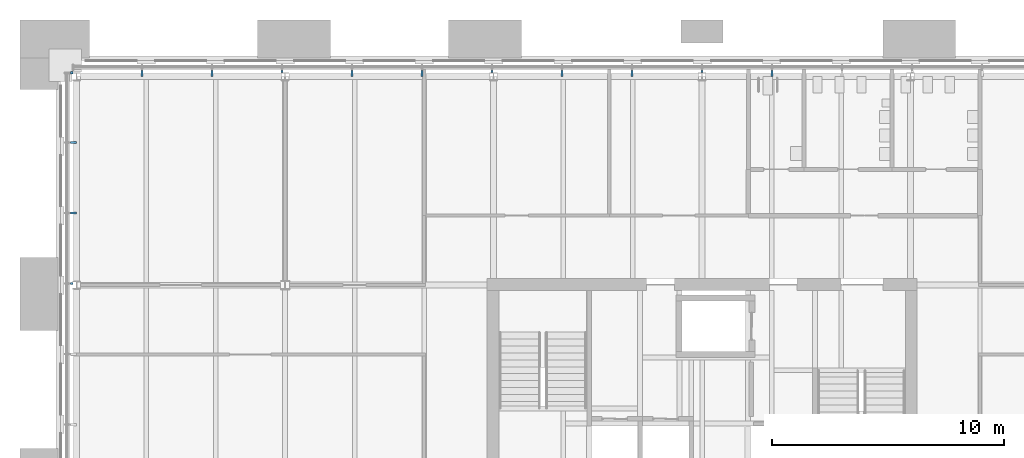
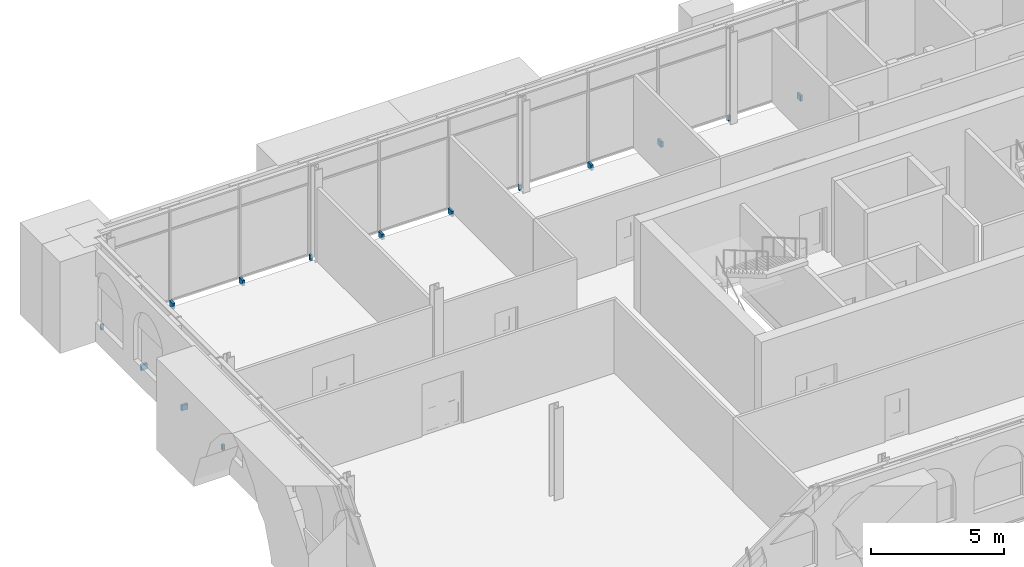
# One storey, part 17 of 22: 14 discrete accessories.
"""IFC4 building model written with IfcOpenShell, lengths in metres."""

from ifc_helpers import new_model, si_unit, direction, frame, origin, origin_2d, place, context, subcontext, project, spatial, rectangle, extrude, material, type_object, element, save


model = new_model("IFC4")

# Units and contexts
model_context = context("Model", 3, precision=1e-05, world=origin(), true_north=direction((0.0, 1.0)))
body_context = subcontext(model_context, "Body", "Model", "MODEL_VIEW")
ifc_project = project(units=[si_unit("LENGTHUNIT", "METRE"), si_unit("AREAUNIT", "SQUARE_METRE"), si_unit("VOLUMEUNIT", "CUBIC_METRE"), si_unit("PLANEANGLEUNIT", "RADIAN"), si_unit("MASSUNIT", "GRAM", prefix="KILO")], contexts=[model_context])

# Site, building, storey
site_placement = place(None, origin())
site = spatial("IfcSite", under=ifc_project, at=site_placement, CompositionType="ELEMENT")
building_placement = place(site_placement, origin())
building = spatial("IfcBuilding", under=site, at=building_placement, Name="Baradari Gate Terminus", CompositionType="ELEMENT")
storey_placement = place(building_placement, frame((0.0, 0.0, 28.5)))
storey = spatial("IfcBuildingStorey", under=building, at=storey_placement, Name="L06", CompositionType="ELEMENT", Elevation=28.5)

# Discrete accessories
ifc_material = material(Name="Aluminium 6063-T6", Category="aluminium")
discrete_accessory_type = type_object("IfcDiscreteAccessoryType", Name="Curtain wall bracket BK-1 100x250", PredefinedType="BRACKET", material=ifc_material)
discrete_accessory_1_placement = place(storey_placement, frame((39.022216796875, 144.135009765625, -0.1298828125), z_axis=(0.0, 0.0, 1.0), x_axis=(0.0, 1.0, 0.0)))
element("IfcDiscreteAccessory", 1, at=discrete_accessory_1_placement, inside=storey, type_object=discrete_accessory_type, Name="Curtain wall bracket L06/TN mullion 9", PredefinedType="BRACKET", context=body_context, shape_type="SweptSolid", body=[
    extrude(rectangle(XDim=0.27001953125, YDim=0.10009765625, at=origin_2d()), origin(), (0.0, 0.0, 1.0), 0.25),
])
discrete_accessory_2_placement = place(storey_placement, frame((36.0, 144.219970703125, -0.10009765625), z_axis=(0.0, 0.0, 1.0), x_axis=(0.0, 1.0, 0.0)))
element("IfcDiscreteAccessory", 2, at=discrete_accessory_2_placement, inside=storey, type_object=discrete_accessory_type, Name="Curtain wall bracket L06/TN mullion 10", PredefinedType="BRACKET", context=body_context, shape_type="SweptSolid", body=[
    extrude(rectangle(XDim=0.10009765625, YDim=0.10009765625, at=origin_2d()), origin(), (0.0, 0.0, 1.0), 0.25),
])
for number, where, z_axis, x_axis, name in (
    (3, (32.977783203125, 144.135009765625, -0.1298828125), (0.0, 0.0, 1.0), (0.0, 1.0, 0.0), "Curtain wall bracket L06/TN mullion 11"),
    (4, (29.95556640625, 144.135009765625, -0.1298828125), (0.0, 0.0, 1.0), (0.0, 1.0, 0.0), "Curtain wall bracket L06/TN mullion 12"),
):
    element("IfcDiscreteAccessory", number, at=place(storey_placement, frame(where, z_axis=z_axis, x_axis=x_axis)), inside=storey, type_object=discrete_accessory_type, Name=name, PredefinedType="BRACKET", context=body_context, shape_type="SweptSolid", body=[
        extrude(rectangle(XDim=0.27001953125, YDim=0.10009765625, at=origin_2d()), origin(), (0.0, 0.0, 1.0), 0.25),
    ])
discrete_accessory_3_placement = place(storey_placement, frame((26.933349609375, 144.219970703125, -0.10009765625), z_axis=(0.0, 0.0, 1.0), x_axis=(0.0, 1.0, 0.0)))
element("IfcDiscreteAccessory", 5, at=discrete_accessory_3_placement, inside=storey, type_object=discrete_accessory_type, Name="Curtain wall bracket L06/TN mullion 13", PredefinedType="BRACKET", context=body_context, shape_type="SweptSolid", body=[
    extrude(rectangle(XDim=0.10009765625, YDim=0.10009765625, at=origin_2d()), origin(), (0.0, 0.0, 1.0), 0.25),
])
for number, where, z_axis, x_axis, name in (
    (6, (23.9111328125, 144.135009765625, -0.1298828125), (0.0, 0.0, 1.0), (0.0, 1.0, 0.0), "Curtain wall bracket L06/TN mullion 14"),
    (7, (20.888916015625, 144.135009765625, -0.1298828125), (0.0, 0.0, 1.0), (0.0, 1.0, 0.0), "Curtain wall bracket L06/TN mullion 15"),
):
    element("IfcDiscreteAccessory", number, at=place(storey_placement, frame(where, z_axis=z_axis, x_axis=x_axis)), inside=storey, type_object=discrete_accessory_type, Name=name, PredefinedType="BRACKET", context=body_context, shape_type="SweptSolid", body=[
        extrude(rectangle(XDim=0.27001953125, YDim=0.10009765625, at=origin_2d()), origin(), (0.0, 0.0, 1.0), 0.25),
    ])
discrete_accessory_4_placement = place(storey_placement, frame((17.86669921875, 144.219970703125, -0.1298828125), z_axis=(0.0, 0.0, 1.0), x_axis=(0.0, 1.0, 0.0)))
element("IfcDiscreteAccessory", 8, at=discrete_accessory_4_placement, inside=storey, type_object=discrete_accessory_type, Name="Curtain wall bracket L06/TN mullion 16", PredefinedType="BRACKET", context=body_context, shape_type="SweptSolid", body=[
    extrude(rectangle(XDim=0.10009765625, YDim=0.10009765625, at=origin_2d()), origin(), (0.0, 0.0, 1.0), 0.25),
])
for number, where, z_axis, x_axis, name in (
    (9, (14.844482421875, 144.135009765625, -0.1298828125), (0.0, 0.0, 1.0), (0.0, 1.0, 0.0), "Curtain wall bracket L06/TN mullion 17"),
    (10, (11.822265625, 144.135009765625, -0.1298828125), (0.0, 0.0, 1.0), (0.0, 1.0, 0.0), "Curtain wall bracket L06/TN mullion 18"),
):
    element("IfcDiscreteAccessory", number, at=place(storey_placement, frame(where, z_axis=z_axis, x_axis=x_axis)), inside=storey, type_object=discrete_accessory_type, Name=name, PredefinedType="BRACKET", context=body_context, shape_type="SweptSolid", body=[
        extrude(rectangle(XDim=0.27001953125, YDim=0.10009765625, at=origin_2d()), origin(), (0.0, 0.0, 1.0), 0.25),
    ])
discrete_accessory_5_placement = place(storey_placement, frame((8.786376953125, 144.16748046875, -0.10009765625), z_axis=(0.0, 0.0, 1.0), x_axis=(-1.0, 0.0, 0.0)))
element("IfcDiscreteAccessory", 11, at=discrete_accessory_5_placement, inside=storey, type_object=discrete_accessory_type, Name="Curtain wall bracket L06/TW mullion 1", PredefinedType="BRACKET", context=body_context, shape_type="SweptSolid", body=[
    extrude(rectangle(XDim=0.11279296875, YDim=0.10009765625, at=origin_2d()), origin(), (0.0, 0.0, 1.0), 0.25),
])
for number, where, z_axis, x_axis, name in (
    (12, (8.864990234375, 141.155517578125, -0.1298828125), (0.0, 0.0, 1.0), (-1.0, 0.0, 0.0), "Curtain wall bracket L06/TW mullion 2"),
    (13, (8.864990234375, 138.111083984375, -0.1298828125), (0.0, 0.0, 1.0), (-1.0, 0.0, 0.0), "Curtain wall bracket L06/TW mullion 3"),
):
    element("IfcDiscreteAccessory", number, at=place(storey_placement, frame(where, z_axis=z_axis, x_axis=x_axis)), inside=storey, type_object=discrete_accessory_type, Name=name, PredefinedType="BRACKET", context=body_context, shape_type="SweptSolid", body=[
        extrude(rectangle(XDim=0.27001953125, YDim=0.10009765625, at=origin_2d()), origin(), (0.0, 0.0, 1.0), 0.25),
    ])
discrete_accessory_6_placement = place(storey_placement, frame((8.786376953125, 135.066650390625, -0.10009765625), z_axis=(0.0, 0.0, 1.0), x_axis=(-1.0, 0.0, 0.0)))
element("IfcDiscreteAccessory", 14, at=discrete_accessory_6_placement, inside=storey, type_object=discrete_accessory_type, Name="Curtain wall bracket L06/TW mullion 4", PredefinedType="BRACKET", context=body_context, shape_type="SweptSolid", body=[
    extrude(rectangle(XDim=0.11279296875, YDim=0.10009765625, at=origin_2d()), origin(), (0.0, 0.0, 1.0), 0.25),
])

save(model, "model.ifc")
